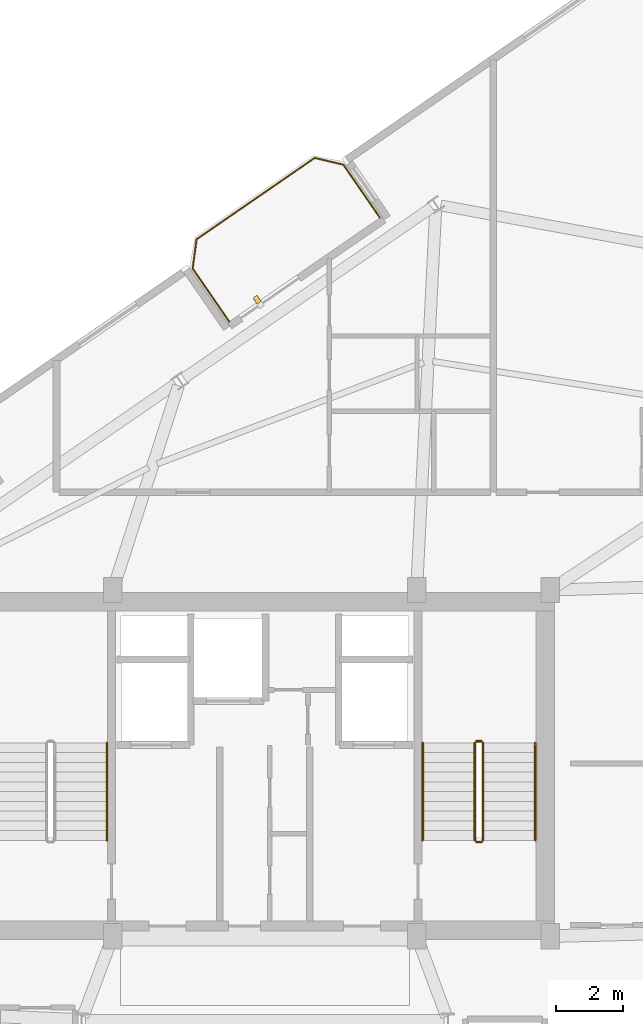
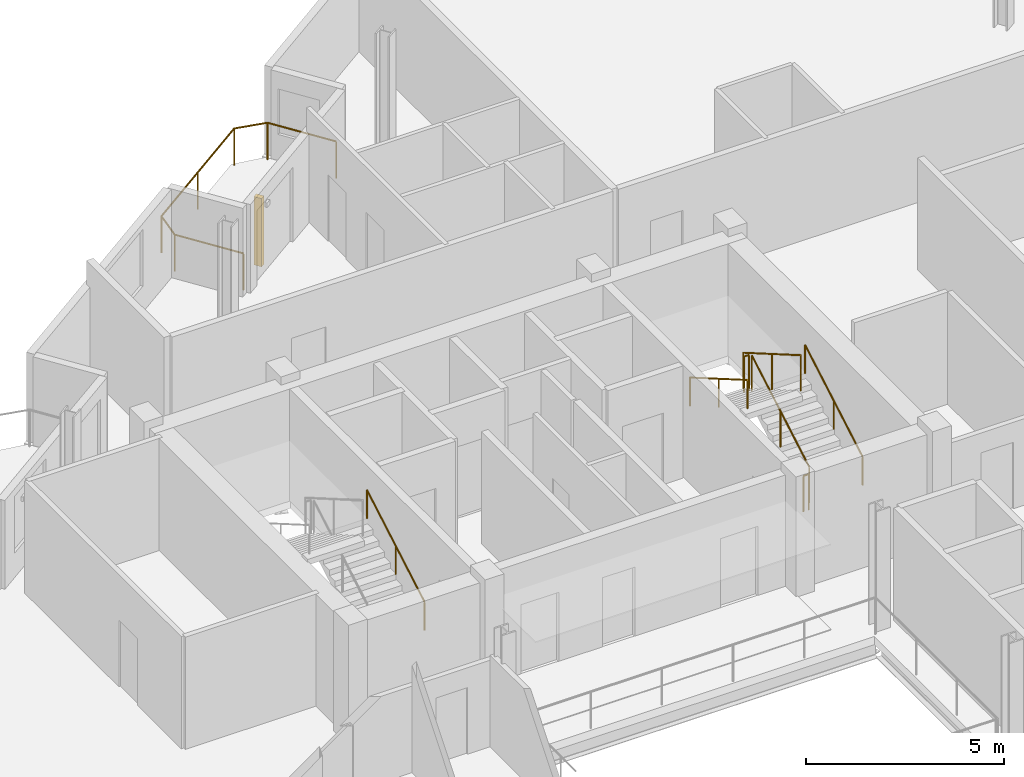
# One storey, part 21 of 21: 8 railings, 1 shading device.
"""IFC4 building model written with IfcOpenShell, lengths in metres."""

from ifc_helpers import new_model, si_unit, direction, frame, origin, origin_2d, place, context, subcontext, project, spatial, rectangle, circle, extrude, source, transform, mapped, material, type_object, element, save


model = new_model("IFC4")

# Units and contexts
model_context = context("Model", 3, precision=1e-05, world=origin(), true_north=direction((0.0, 1.0)))
body_context = subcontext(model_context, "Body", "Model", "MODEL_VIEW")
ifc_project = project(units=[si_unit("LENGTHUNIT", "METRE"), si_unit("AREAUNIT", "SQUARE_METRE"), si_unit("VOLUMEUNIT", "CUBIC_METRE"), si_unit("PLANEANGLEUNIT", "RADIAN"), si_unit("MASSUNIT", "GRAM", prefix="KILO")], contexts=[model_context])

# Site, building, storey
site_placement = place(None, origin())
site = spatial("IfcSite", under=ifc_project, at=site_placement, CompositionType="ELEMENT")
building_placement = place(site_placement, origin())
building = spatial("IfcBuilding", under=site, at=building_placement, Name="Varnelok Gate Tower", CompositionType="ELEMENT")
storey_placement = place(building_placement, frame((0.0, 0.0, 276.699951171875)))
storey = spatial("IfcBuildingStorey", under=building, at=storey_placement, Name="L71", CompositionType="ELEMENT", Elevation=276.699951171875)

# Railings
ifc_material_1 = material(Name="Low-E Laminated Double Glazing IGU", Category="glass")
railing_type_1 = type_object("IfcRailingType", Name="RL-BALC-1150", PredefinedType="BALUSTRADE", material=ifc_material_1)
railing_1_placement = place(storey_placement, frame((38.143310546875, 47.036376953125, 0.0)))
element("IfcRailing", 1, at=railing_1_placement, inside=storey, type_object=railing_type_1, Name="L71 North Terrace Balustrade 6", PredefinedType="BALUSTRADE", context=body_context, shape_type="SweptSolid", body=[
    extrude(circle(Radius=0.02392578125, at=origin_2d()), frame((0.0, 0.0, 1.1259765625), z_axis=(-0.567284155424, 0.82352212296, 0.0), x_axis=(-0.82352212296, -0.567284155424, 0.0)), (0.0, 0.0, 1.0), 1.919921875),
    extrude(circle(Radius=0.02392578125, at=origin_2d()), frame((-1.089111328125, 1.5810546875, 1.1259765625), z_axis=(0.133238627421, 0.991083986433, 0.0), x_axis=(-0.991083986433, 0.133238627421, 0.0)), (0.0, 0.0, 1.0), 0.877685546875),
    extrude(circle(Radius=0.02392578125, at=origin_2d()), frame((-0.97216796875, 2.450927734375, 1.1259765625), z_axis=(0.823530765458, 0.56727160897, 0.0), x_axis=(-0.56727160897, 0.823530765458, 0.0)), (0.0, 0.0, 1.0), 4.26708984375),
    extrude(circle(Radius=0.02392578125, at=origin_2d()), frame((2.5419921875, 4.87158203125, 1.1259765625), z_axis=(0.973573806257, -0.228372598553, 0.0), x_axis=(0.228372598553, 0.973573806257, 0.0)), (0.0, 0.0, 1.0), 0.877685546875),
    extrude(circle(Radius=0.02392578125, at=origin_2d()), frame((3.396484375, 4.671142578125, 1.1259765625), z_axis=(0.567224752248, -0.823563039747, 0.0), x_axis=(0.823563039747, 0.567224752248, 0.0)), (0.0, 0.0, 1.0), 1.920166015625),
    extrude(circle(Radius=0.02099609375, at=origin_2d()), origin(), (0.0, 0.0, 1.0), 1.101806640625),
    extrude(circle(Radius=0.02099609375, at=origin_2d()), frame((-1.089111328125, 1.5810546875, 0.0)), (0.0, 0.0, 1.0), 1.101806640625),
    extrude(circle(Radius=0.02099609375, at=origin_2d()), frame((-0.97216796875, 2.450927734375, 0.0)), (0.0, 0.0, 1.0), 1.101806640625),
    extrude(circle(Radius=0.02099609375, at=origin_2d()), frame((0.784912109375, 3.6611328125, 0.0)), (0.0, 0.0, 1.0), 1.101806640625),
    extrude(circle(Radius=0.02099609375, at=origin_2d()), frame((2.5419921875, 4.87158203125, 0.0)), (0.0, 0.0, 1.0), 1.101806640625),
    extrude(circle(Radius=0.02099609375, at=origin_2d()), frame((3.396484375, 4.671142578125, 0.0)), (0.0, 0.0, 1.0), 1.101806640625),
    extrude(circle(Radius=0.02099609375, at=origin_2d()), frame((4.485595703125, 3.08984375, 0.0)), (0.0, 0.0, 1.0), 1.101806640625),
])
ifc_material_2 = material(Name="Brushed Stainless Steel AISI 316", Category="steel")
railing_type_2 = type_object("IfcRailingType", Name="RL-HANDRAIL-900", PredefinedType="HANDRAIL", material=ifc_material_2)
for number, where, name in (
    (2, (34.5, 31.60009765625, 0.168212890625), "L71 ST-1 stair handrail 1"),
    (3, (47.25, 31.60009765625, 0.168212890625), "L71 ST-2 stair handrail 1"),
):
    element("IfcRailing", number, at=place(storey_placement, frame(where)), inside=storey, type_object=railing_type_2, Name=name, PredefinedType="HANDRAIL", context=body_context, shape_type="SweptSolid", body=[
        extrude(circle(Radius=0.02392578125, at=origin_2d()), frame((0.0, 0.0, 0.8759765625), z_axis=(0.0, 0.865038774852, 0.501705010941), x_axis=(-1.0, 0.0, 0.0)), (0.0, 0.0, 1.0), 3.352294921875),
        extrude(circle(Radius=0.02099609375, at=origin_2d()), origin(), (0.0, 0.0, 1.0), 0.851806640625),
        extrude(circle(Radius=0.02099609375, at=origin_2d()), frame((0.0, 1.449951171875, 0.8408203125)), (0.0, 0.0, 1.0), 0.851806640625),
        extrude(circle(Radius=0.02099609375, at=origin_2d()), frame((0.0, 2.89990234375, 1.681884765625)), (0.0, 0.0, 1.0), 0.851806640625),
    ])
railing_2_placement = place(storey_placement, frame((43.89990234375, 34.5, 2.018310546875)))
element("IfcRailing", 4, at=railing_2_placement, inside=storey, type_object=railing_type_2, Name="L71 ST-2 stair handrail 2", PredefinedType="HANDRAIL", context=body_context, shape_type="SweptSolid", body=[
    extrude(circle(Radius=0.02392578125, at=origin_2d()), frame((0.0, 0.0, 0.8759765625), z_axis=(0.0, -0.86507038078, 0.501650512107), x_axis=(1.0, 0.0, 0.0)), (0.0, 0.0, 1.0), 3.352294921875),
    extrude(circle(Radius=0.02099609375, at=origin_2d()), origin(), (0.0, 0.0, 1.0), 0.851806640625),
    extrude(circle(Radius=0.02099609375, at=origin_2d()), frame((0.0, -1.449951171875, 0.8408203125)), (0.0, 0.0, 1.0), 0.851806640625),
    extrude(circle(Radius=0.02099609375, at=origin_2d()), frame((0.0, -2.89990234375, 1.681640625)), (0.0, 0.0, 1.0), 0.851806640625),
])
ifc_material_3 = material(Name="Galvanized Steel Grade S350GD", Category="steel")
railing_type_3 = type_object("IfcRailingType", Name="RL-STAIR-GUARD1120", PredefinedType="GUARDRAIL", material=ifc_material_3)
railing_3_placement = place(storey_placement, frame((45.699951171875, 31.60009765625, 0.168212890625)))
element("IfcRailing", 5, at=railing_3_placement, inside=storey, type_object=railing_type_3, Name="L71 ST-2 stair guard 1", PredefinedType="GUARDRAIL", context=body_context, shape_type="SweptSolid", body=[
    extrude(circle(Radius=0.02392578125, at=origin_2d()), frame((0.0, 0.0, 1.09619140625), z_axis=(0.0, 0.865038774852, 0.501705010941), x_axis=(-1.0, 0.0, 0.0)), (0.0, 0.0, 1.0), 3.352294921875),
    extrude(circle(Radius=0.02099609375, at=origin_2d()), origin(), (0.0, 0.0, 1.0), 1.072021484375),
    extrude(circle(Radius=0.02099609375, at=origin_2d()), frame((0.0, 1.449951171875, 0.8408203125)), (0.0, 0.0, 1.0), 1.072021484375),
    extrude(circle(Radius=0.02099609375, at=origin_2d()), frame((0.0, 2.89990234375, 1.681884765625)), (0.0, 0.0, 1.0), 1.072021484375),
])
railing_4_placement = place(storey_placement, frame((45.64990234375, 34.550048828125, 1.85009765625)))
element("IfcRailing", 6, at=railing_4_placement, inside=storey, type_object=railing_type_3, Name="L71 ST-2 stair guard 2", PredefinedType="GUARDRAIL", context=body_context, shape_type="SweptSolid", body=[
    extrude(circle(Radius=0.02392578125, at=origin_2d()), frame((0.0, 0.0, 1.09619140625), z_axis=(-1.0, 0.0, 0.0), x_axis=(0.0, -1.0, 0.0)), (0.0, 0.0, 1.0), 0.14990234375),
    extrude(circle(Radius=0.02099609375, at=origin_2d()), origin(), (0.0, 0.0, 1.0), 1.072021484375),
    extrude(circle(Radius=0.02099609375, at=origin_2d()), frame((-0.14990234375, 0.0, 0.0)), (0.0, 0.0, 1.0), 1.072021484375),
])
railing_5_placement = place(storey_placement, frame((45.449951171875, 34.5, 2.018310546875)))
element("IfcRailing", 7, at=railing_5_placement, inside=storey, type_object=railing_type_3, Name="L71 ST-2 stair guard 3", PredefinedType="GUARDRAIL", context=body_context, shape_type="SweptSolid", body=[
    extrude(circle(Radius=0.02392578125, at=origin_2d()), frame((0.0, 0.0, 1.09619140625), z_axis=(0.0, -0.86507038078, 0.501650512107), x_axis=(1.0, 0.0, 0.0)), (0.0, 0.0, 1.0), 3.352294921875),
    extrude(circle(Radius=0.02099609375, at=origin_2d()), origin(), (0.0, 0.0, 1.0), 1.072021484375),
    extrude(circle(Radius=0.02099609375, at=origin_2d()), frame((0.0, -1.449951171875, 0.8408203125)), (0.0, 0.0, 1.0), 1.072021484375),
    extrude(circle(Radius=0.02099609375, at=origin_2d()), frame((0.0, -2.89990234375, 1.681640625)), (0.0, 0.0, 1.0), 1.072021484375),
])
railing_6_placement = place(storey_placement, frame((45.64990234375, 31.550048828125, 0.0)))
element("IfcRailing", 8, at=railing_6_placement, inside=storey, type_object=railing_type_3, Name="L71 ST-2 stair guard 4", PredefinedType="GUARDRAIL", context=body_context, shape_type="SweptSolid", body=[
    extrude(circle(Radius=0.02392578125, at=origin_2d()), frame((0.0, 0.0, 1.09619140625), z_axis=(-1.0, 0.0, 0.0), x_axis=(0.0, -1.0, 0.0)), (0.0, 0.0, 1.0), 0.14990234375),
    extrude(circle(Radius=0.02099609375, at=origin_2d()), origin(), (0.0, 0.0, 1.0), 1.072021484375),
    extrude(circle(Radius=0.02099609375, at=origin_2d()), frame((-0.14990234375, 0.0, 0.0)), (0.0, 0.0, 1.0), 1.072021484375),
])

# Shading device
ifc_material_4 = material(Name="Glazed Architectural Terracotta Ceramic", Category="masonry")
shading_device_type = type_object("IfcShadingDeviceType", Name="SHD-TERRA-FIN", PredefinedType="USERDEFINED", material=ifc_material_4)
shared_shape = source(origin(), body_context, "Body", "SweptSolid", [
    extrude(rectangle(XDim=0.139892578125, YDim=0.219970703125, at=origin_2d()), origin(), (0.0, 0.0, 1.0), 2.10009765625),
])
shading_device_placement = place(storey_placement, frame((38.970947265625, 47.69140625, 0.10009765625), z_axis=(0.0, 0.0, 1.0), x_axis=(0.823532597628, 0.567268949127, 0.0)))
element("IfcShadingDevice", 9, at=shading_device_placement, inside=storey, type_object=shading_device_type, Name="L71 Terracotta Ceramic Baguette Sunscreen 6.1", ObjectType="BAGUETTE", PredefinedType="USERDEFINED", context=body_context, shape_type="MappedRepresentation", body=[
    mapped(shared_shape, transform((0.0, 0.0, 0.0), scale=1.0)),
])

save(model, "model.ifc")
